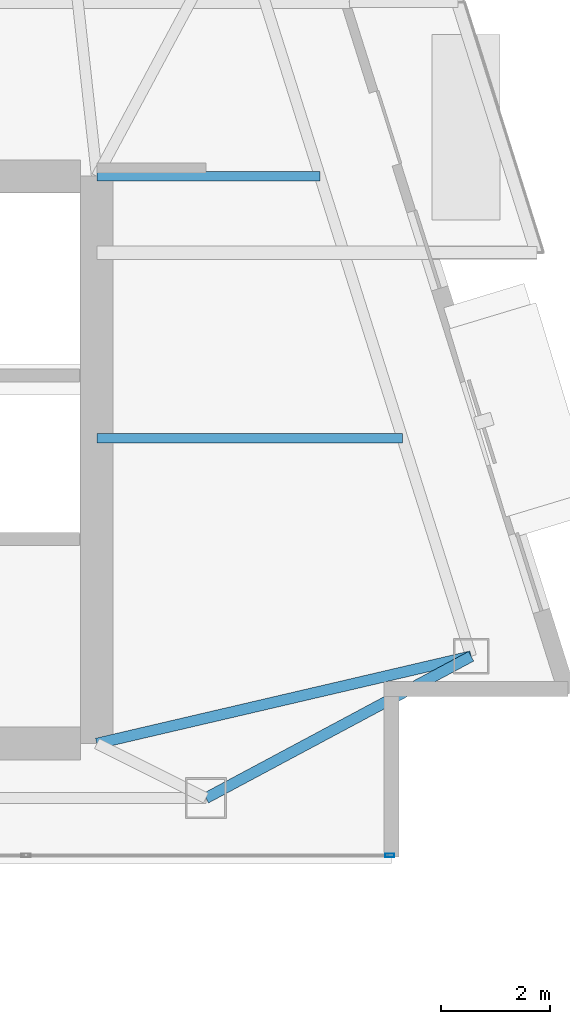
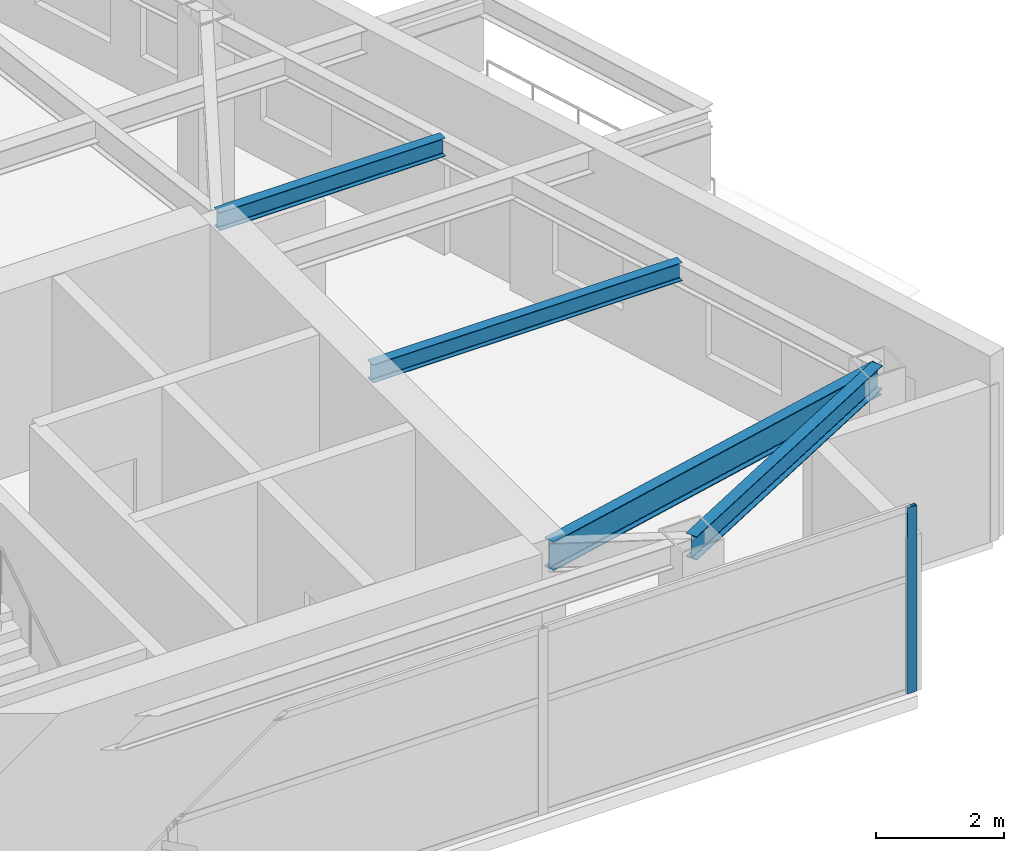
# One storey, part 14 of 27: 4 beams, 1 member, 1 element without a shape of its own.
"""IFC4 building model written with IfcOpenShell, lengths in metres."""

from ifc_helpers import new_model, si_unit, direction, frame, origin, origin_2d, place, context, subcontext, project, spatial, hollow_rectangle, i_section, extrude, material, layer, layer_set, material_profile, profile_set, type_object, element, aggregate, save


model = new_model("IFC4")

# Units and contexts
model_context = context("Model", 3, precision=1e-05, world=origin(), true_north=direction((0.0, 1.0)))
body_context = subcontext(model_context, "Body", "Model", "MODEL_VIEW")
ifc_project = project(units=[si_unit("LENGTHUNIT", "METRE"), si_unit("AREAUNIT", "SQUARE_METRE"), si_unit("VOLUMEUNIT", "CUBIC_METRE"), si_unit("PLANEANGLEUNIT", "RADIAN"), si_unit("MASSUNIT", "GRAM", prefix="KILO")], contexts=[model_context])

# Site, building, storey
site_placement = place(None, origin())
site = spatial("IfcSite", under=ifc_project, at=site_placement, CompositionType="ELEMENT")
building_placement = place(site_placement, origin())
building = spatial("IfcBuilding", under=site, at=building_placement, Name="Calvorn Quay Hotel", CompositionType="ELEMENT")
storey_placement = place(building_placement, frame((0.0, 0.0, 294.89990234375)))
storey = spatial("IfcBuildingStorey", under=building, at=storey_placement, Name="L73", CompositionType="ELEMENT", Elevation=294.89990234375)

# Beams
ifc_material_1 = material(Name="Steel Q355B", Category="steel")
ifc_material_profile_1 = material_profile(ifc_material_1, i_section(OverallWidth=0.199951171875, OverallDepth=0.550048828125, WebThickness=0.010009765625, FlangeThickness=0.01611328125, FilletRadius=0.01806640625, at=origin_2d()), Name="HN550x200x10x16")
ifc_profile_set_1 = profile_set([ifc_material_profile_1], Name="Steel Q355B")
beam_type_1 = type_object("IfcBeamType", Name="BM-GIRD-UPP", PredefinedType="BEAM", material=ifc_profile_set_1)
beam_1_placement = place(storey_placement, frame((32.39990234375, 4.60009765625, 3.26513671875), z_axis=(0.973874684416, 0.227086104935, 0.0), x_axis=(-0.227086104935, 0.973874684416, 0.0)))
element("IfcBeam", 1, at=beam_1_placement, inside=storey, type_object=beam_type_1, Name="Beam BG-L73-E1", PredefinedType="BEAM", context=body_context, shape_type="SweptSolid", body=[
    extrude(i_section(OverallWidth=0.199951171875, OverallDepth=0.550048828125, WebThickness=0.010009765625, FlangeThickness=0.01611328125, FilletRadius=0.01806640625, at=origin_2d()), origin(), (0.0, 0.0, 1.0), 7.045166015625),
])
ifc_material_2 = material(Name="Steel Q355B", Category="steel")
ifc_material_profile_2 = material_profile(ifc_material_2, i_section(OverallWidth=0.175048828125, OverallDepth=0.35009765625, WebThickness=0.007080078125, FlangeThickness=0.010986328125, FilletRadius=0.013916015625, at=origin_2d()), Name="HN350x175x7x11")
ifc_profile_set_2 = profile_set([ifc_material_profile_2], Name="Steel Q355B")
beam_type_2 = type_object("IfcBeamType", Name="BM-JOIST-SEC", PredefinedType="JOIST", material=ifc_profile_set_2)
beam_2_placement = place(storey_placement, frame((32.39990234375, 10.199951171875, 3.364990234375), z_axis=(1.0, 0.0, 0.0), x_axis=(0.0, 1.0, 0.0)))
element("IfcBeam", 2, at=beam_2_placement, inside=storey, type_object=beam_type_2, Name="Beam BJ-L73-E1", PredefinedType="JOIST", context=body_context, shape_type="SweptSolid", body=[
    extrude(i_section(OverallWidth=0.175048828125, OverallDepth=0.35009765625, WebThickness=0.007080078125, FlangeThickness=0.010986328125, FilletRadius=0.013916015625, at=origin_2d()), origin(), (0.0, 0.0, 1.0), 5.60107421875),
])
beam_3_placement = place(storey_placement, frame((32.39990234375, 15.0, 3.364990234375), z_axis=(1.0, 0.0, 0.0), x_axis=(0.0, 1.0, 0.0)))
element("IfcBeam", 3, at=beam_3_placement, inside=storey, type_object=beam_type_2, Name="Beam BJ-L73-E2", PredefinedType="JOIST", context=body_context, shape_type="SweptSolid", body=[
    extrude(i_section(OverallWidth=0.175048828125, OverallDepth=0.35009765625, WebThickness=0.007080078125, FlangeThickness=0.010986328125, FilletRadius=0.013916015625, at=origin_2d()), origin(), (0.0, 0.0, 1.0), 4.088134765625),
])
ifc_material_3 = material(Name="Steel Q355B", Category="steel")
ifc_material_profile_3 = material_profile(ifc_material_3, i_section(OverallWidth=0.199951171875, OverallDepth=0.449951171875, WebThickness=0.009033203125, FlangeThickness=0.013916015625, FilletRadius=0.01611328125, at=origin_2d()), Name="HN450x200x9x14")
ifc_profile_set_3 = profile_set([ifc_material_profile_3], Name="Steel Q355B")
beam_type_3 = type_object("IfcBeamType", Name="BM-SPANDREL-Z3", PredefinedType="SPANDREL", material=ifc_profile_set_3)
beam_4_placement = place(storey_placement, frame((34.39990234375, 3.60009765625, 3.315185546875), z_axis=(0.881804345101, 0.471615412133, 0.0), x_axis=(-0.471615412133, 0.881804345101, 0.0)))
element("IfcBeam", 4, at=beam_4_placement, inside=storey, type_object=beam_type_3, Name="Beam BSP-L73-S4", PredefinedType="SPANDREL", context=body_context, shape_type="SweptSolid", body=[
    extrude(i_section(OverallWidth=0.199951171875, OverallDepth=0.449951171875, WebThickness=0.009033203125, FlangeThickness=0.013916015625, FilletRadius=0.01611328125, at=origin_2d()), origin(), (0.0, 0.0, 1.0), 5.5126953125),
])

# Curtain wall, member
ifc_material_4 = material(Name="Champagne Bronze Anodised Aluminium and Low-E Glass", Category="aluminium")
ifc_layer = layer(ifc_material_4, 0.219970703125)
ifc_layer_set = layer_set([ifc_layer], Name="CW-SYS-Z4")
curtain_wall_type = type_object("IfcCurtainWallType", Name="CW-SYS-Z4", PredefinedType="NOTDEFINED", material=ifc_layer_set)
curtain_wall_placement = place(storey_placement, origin())
curtain_wall = element("IfcCurtainWall", 5, at=curtain_wall_placement, inside=storey, type_object=curtain_wall_type, Name="Tower South Waterfront Curtain Wall (L73)", PredefinedType="NOTDEFINED")
ifc_material_5 = material(Name="Champagne Bronze Anodised Aluminium 6063-T6", Category="aluminium")
ifc_material_profile_4 = material_profile(ifc_material_5, hollow_rectangle(XDim=0.06494140625, YDim=0.169921875, WallThickness=0.00341796875, at=origin_2d()), Name="ALU-M170x65x3.5")
ifc_profile_set_4 = profile_set([ifc_material_profile_4], Name="Champagne Bronze Anodised Aluminium 6063-T6")
member_type = type_object("IfcMemberType", Name="CW-SYS-Z4-MUL", PredefinedType="MULLION", material=ifc_profile_set_4)
member_placement = place(storey_placement, frame((37.77001953125, 2.550048828125, 0.0), z_axis=(0.0, 0.0, 1.0), x_axis=(0.0, 1.0, 0.0)))
member = element("IfcMember", 6, at=member_placement, type_object=member_type, Name="CW-L73-S mullion 5", PredefinedType="MULLION", context=body_context, shape_type="SweptSolid", body=[
    extrude(hollow_rectangle(XDim=0.06494140625, YDim=0.169921875, WallThickness=0.00341796875, at=origin_2d()), origin(), (0.0, 0.0, 1.0), 3.56005859375),
])
aggregate(curtain_wall, [member])

save(model, "model.ifc")
